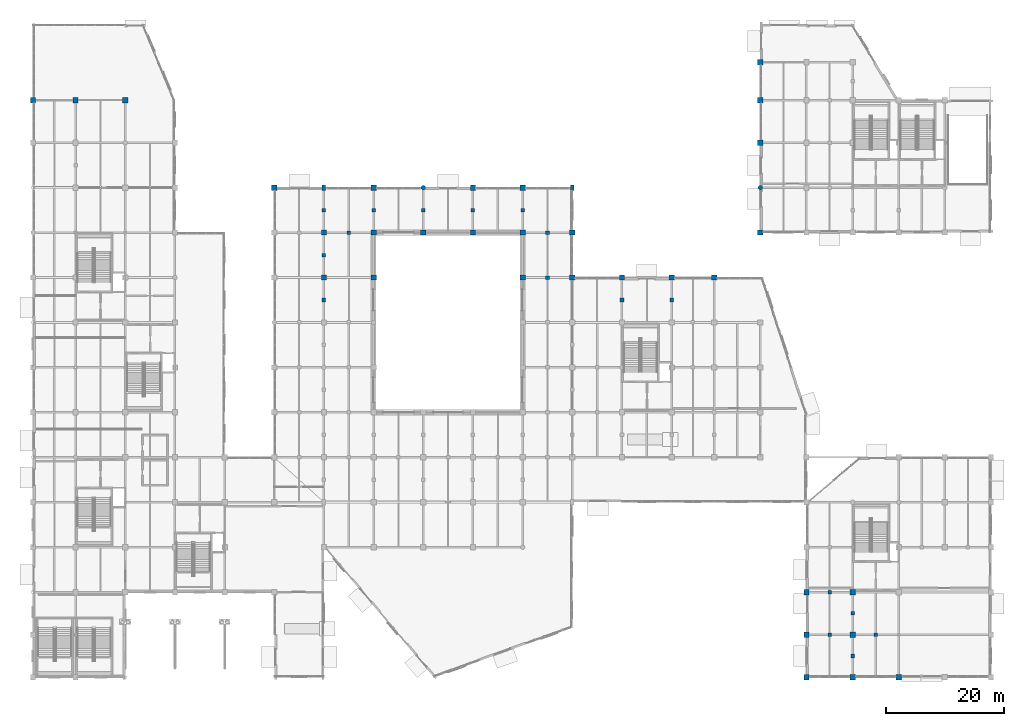
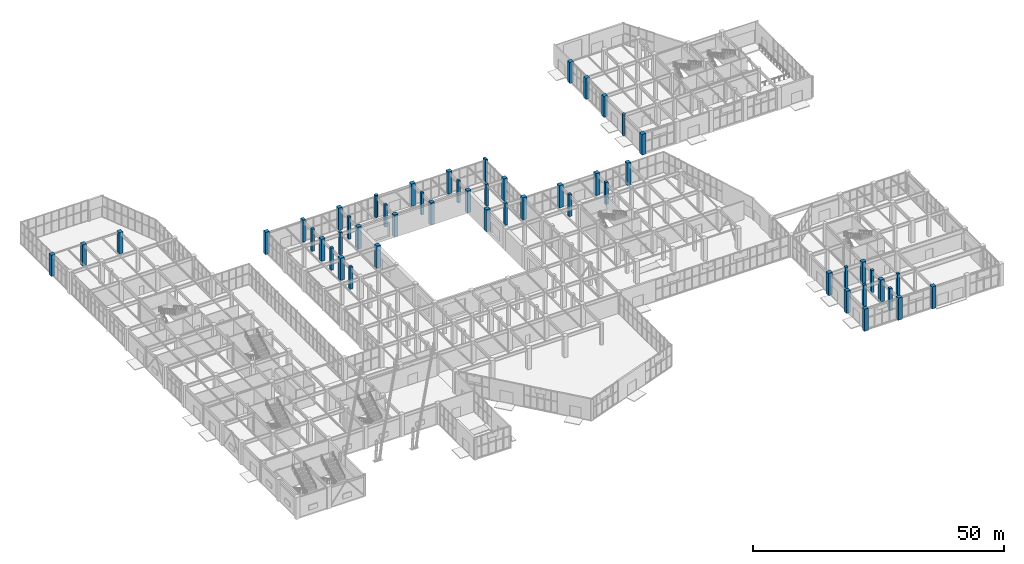
# One storey, part 6 of 139: 52 columns.
"""IFC4 building model written with IfcOpenShell, lengths in metres."""

from ifc_helpers import new_model, si_unit, direction, frame, origin, origin_2d, place, context, subcontext, project, spatial, rectangle, circle, extrude, material, material_profile, profile_set, type_object, element, save


model = new_model("IFC4")

# Units and contexts
model_context = context("Model", 3, precision=1e-05, world=origin(), true_north=direction((0.0, 1.0)))
body_context = subcontext(model_context, "Body", "Model", "MODEL_VIEW")
ifc_project = project(units=[si_unit("LENGTHUNIT", "METRE"), si_unit("AREAUNIT", "SQUARE_METRE"), si_unit("VOLUMEUNIT", "CUBIC_METRE"), si_unit("PLANEANGLEUNIT", "RADIAN"), si_unit("MASSUNIT", "GRAM", prefix="KILO")], contexts=[model_context])

# Site, building, storey
site_placement = place(None, origin())
site = spatial("IfcSite", under=ifc_project, at=site_placement, CompositionType="ELEMENT")
building_placement = place(site_placement, origin())
building = spatial("IfcBuilding", under=site, at=building_placement, Name="Xicomal Pleat Aquarium", CompositionType="ELEMENT")
storey_placement = place(building_placement, origin())
storey = spatial("IfcBuildingStorey", under=building, at=storey_placement, Name="L01", CompositionType="ELEMENT", Elevation=0.0)

# Columns
ifc_material_1 = material(Name="Concrete C40/50", Category="concrete")
ifc_material_profile_1 = material_profile(ifc_material_1, rectangle(XDim=0.60009765625, YDim=0.60009765625, at=origin_2d()), Name="RC 600x600")
ifc_profile_set_1 = profile_set([ifc_material_profile_1], Name="Concrete C40/50")
column_type_1 = type_object("IfcColumnType", Name="COL-RC-600x600", PredefinedType="COLUMN", material=ifc_profile_set_1)
for number, where, z_axis, x_axis, name in (
    (1, (56.39990234375, 76.0, 0.0), (0.0, 0.0, 1.0), (1.0, 0.0, 0.0), "L01 intermediate support column SUB-10"),
    (2, (90.0, 68.39990234375, 0.0), (0.0, 0.0, 1.0), (1.0, 0.0, 0.0), "L01 intermediate support column SUB-18"),
    (3, (90.0, 76.0, 0.0), (0.0, 0.0, 1.0), (1.0, 0.0, 0.0), "L01 intermediate support column SUB-19"),
    (4, (137.699951171875, 8.0, 0.0), (0.0, 0.0, 1.0), (1.0, 0.0, 0.0), "L01 intermediate support column SUB-24"),
    (5, (137.699951171875, 15.199951171875, 0.0), (0.0, 0.0, 1.0), (1.0, 0.0, 0.0), "L01 intermediate support column SUB-25"),
    (6, (145.5, 8.0, 0.0), (0.0, 0.0, 1.0), (1.0, 0.0, 0.0), "L01 intermediate support column SUB-30"),
    (7, (52.199951171875, 64.60009765625, 0.0), (0.0, 0.0, 1.0), (1.0, 0.0, 0.0), "L01 intermediate support column SUB-38"),
    (8, (52.199951171875, 72.199951171875, 0.0), (0.0, 0.0, 1.0), (1.0, 0.0, 0.0), "L01 intermediate support column SUB-39"),
    (9, (52.199951171875, 79.800048828125, 0.0), (0.0, 0.0, 1.0), (1.0, 0.0, 0.0), "L01 intermediate support column SUB-40"),
    (10, (60.60009765625, 79.800048828125, 0.0), (0.0, 0.0, 1.0), (1.0, 0.0, 0.0), "L01 intermediate support column SUB-43"),
    (11, (69.0, 79.800048828125, 0.0), (0.0, 0.0, 1.0), (1.0, 0.0, 0.0), "L01 intermediate support column SUB-46"),
    (12, (77.39990234375, 79.800048828125, 0.0), (0.0, 0.0, 1.0), (1.0, 0.0, 0.0), "L01 intermediate support column SUB-49"),
    (13, (85.800048828125, 79.800048828125, 0.0), (0.0, 0.0, 1.0), (1.0, 0.0, 0.0), "L01 intermediate support column SUB-52"),
    (14, (102.60009765625, 64.60009765625, 0.0), (0.0, 0.0, 1.0), (1.0, 0.0, 0.0), "L01 intermediate support column SUB-57"),
    (15, (111.0, 64.60009765625, 0.0), (0.0, 0.0, 1.0), (1.0, 0.0, 0.0), "L01 intermediate support column SUB-59"),
    (16, (141.60009765625, 4.39990234375, 0.0), (0.0, 0.0, 1.0), (1.0, 0.0, 0.0), "L01 intermediate support column SUB-61"),
    (17, (141.60009765625, 11.60009765625, 0.0), (0.0, 0.0, 1.0), (1.0, 0.0, 0.0), "L01 intermediate support column SUB-62"),
):
    element("IfcColumn", number, at=place(storey_placement, frame(where, z_axis=z_axis, x_axis=x_axis)), inside=storey, type_object=column_type_1, Name=name, PredefinedType="COLUMN", context=body_context, shape_type="SweptSolid", body=[
        extrude(rectangle(XDim=0.60009765625, YDim=0.60009765625, at=origin_2d()), origin(), (0.0, 0.0, 1.0), 5.39990234375),
    ])
ifc_material_2 = material(Name="Concrete C40/50", Category="concrete")
ifc_material_profile_2 = material_profile(ifc_material_2, rectangle(XDim=0.60009765625, YDim=0.89990234375, at=origin_2d()), Name="RC 600x900")
ifc_profile_set_2 = profile_set([ifc_material_profile_2], Name="Concrete C40/50")
column_type_2 = type_object("IfcColumnType", Name="COL-RC-600x900", PredefinedType="COLUMN", material=ifc_profile_set_2)
for number, where, z_axis, x_axis, name in (
    (18, (52.199951171875, 83.60009765625, 0.0), (0.0, 0.0, 1.0), (1.0, 0.0, 0.0), "L01 column 07/M"),
    (19, (94.199951171875, 83.60009765625, 0.0), (0.0, 0.0, 1.0), (1.0, 0.0, 0.0), "L01 column 12/M"),
):
    element("IfcColumn", number, at=place(storey_placement, frame(where, z_axis=z_axis, x_axis=x_axis)), inside=storey, type_object=column_type_2, Name=name, PredefinedType="COLUMN", context=body_context, shape_type="SweptSolid", body=[
        extrude(rectangle(XDim=0.60009765625, YDim=0.89990234375, at=origin_2d()), origin(), (0.0, 0.0, 1.0), 5.39990234375),
    ])
ifc_material_3 = material(Name="Concrete C40/50", Category="concrete")
ifc_material_profile_3 = material_profile(ifc_material_3, rectangle(XDim=0.89990234375, YDim=0.89990234375, at=origin_2d()), Name="RC 900x900")
ifc_profile_set_3 = profile_set([ifc_material_profile_3], Name="Concrete C40/50")
column_type_3 = type_object("IfcColumnType", Name="COL-RC-900x900", PredefinedType="COLUMN", material=ifc_profile_set_3)
for number, where, z_axis, x_axis, name in (
    (20, (3.0, 98.39990234375, 0.0), (0.0, 0.0, 1.0), (1.0, 0.0, 0.0), "L01 column 01/P"),
    (21, (10.199951171875, 98.39990234375, 0.0), (0.0, 0.0, 1.0), (1.0, 0.0, 0.0), "L01 column 02/P"),
    (22, (18.60009765625, 98.39990234375, 0.0), (0.0, 0.0, 1.0), (1.0, 0.0, 0.0), "L01 column 03/P"),
):
    element("IfcColumn", number, at=place(storey_placement, frame(where, z_axis=z_axis, x_axis=x_axis)), inside=storey, type_object=column_type_3, Name=name, PredefinedType="COLUMN", context=body_context, shape_type="SweptSolid", body=[
        extrude(rectangle(XDim=0.89990234375, YDim=0.89990234375, at=origin_2d()), origin(), (0.0, 0.0, 1.0), 5.159912109375),
    ])
for number, where, z_axis, x_axis, name in (
    (23, (43.800048828125, 83.60009765625, 0.0), (0.0, 0.0, 1.0), (1.0, 0.0, 0.0), "L01 column 06/M"),
    (24, (52.199951171875, 68.39990234375, 0.0), (0.0, 0.0, 1.0), (1.0, 0.0, 0.0), "L01 column 07/K"),
    (25, (52.199951171875, 76.0, 0.0), (0.0, 0.0, 1.0), (1.0, 0.0, 0.0), "L01 column 07/L"),
    (26, (60.60009765625, 68.39990234375, 0.0), (0.0, 0.0, 1.0), (1.0, 0.0, 0.0), "L01 column 08/K"),
    (27, (60.60009765625, 76.0, 0.0), (0.0, 0.0, 1.0), (1.0, 0.0, 0.0), "L01 column 08/L"),
    (28, (60.60009765625, 83.60009765625, 0.0), (0.0, 0.0, 1.0), (1.0, 0.0, 0.0), "L01 column 08/M"),
    (29, (69.0, 76.0, 0.0), (0.0, 0.0, 1.0), (1.0, 0.0, 0.0), "L01 column 09/L"),
    (30, (77.39990234375, 76.0, 0.0), (0.0, 0.0, 1.0), (1.0, 0.0, 0.0), "L01 column 10/L"),
    (31, (77.39990234375, 83.60009765625, 0.0), (0.0, 0.0, 1.0), (1.0, 0.0, 0.0), "L01 column 10/M"),
    (32, (85.800048828125, 68.39990234375, 0.0), (0.0, 0.0, 1.0), (1.0, 0.0, 0.0), "L01 column 11/K"),
    (33, (85.800048828125, 76.0, 0.0), (0.0, 0.0, 1.0), (1.0, 0.0, 0.0), "L01 column 11/L"),
    (34, (85.800048828125, 83.60009765625, 0.0), (0.0, 0.0, 1.0), (1.0, 0.0, 0.0), "L01 column 11/M"),
    (35, (94.199951171875, 68.39990234375, 0.0), (0.0, 0.0, 1.0), (1.0, 0.0, 0.0), "L01 column 12/K"),
    (36, (94.199951171875, 76.0, 0.0), (0.0, 0.0, 1.0), (1.0, 0.0, 0.0), "L01 column 12/L"),
    (37, (102.60009765625, 68.39990234375, 0.0), (0.0, 0.0, 1.0), (1.0, 0.0, 0.0), "L01 column 13/K"),
    (38, (111.0, 68.39990234375, 0.0), (0.0, 0.0, 1.0), (1.0, 0.0, 0.0), "L01 column 14/K"),
    (39, (118.199951171875, 68.39990234375, 0.0), (0.0, 0.0, 1.0), (1.0, 0.0, 0.0), "L01 column 15/K"),
):
    element("IfcColumn", number, at=place(storey_placement, frame(where, z_axis=z_axis, x_axis=x_axis)), inside=storey, type_object=column_type_3, Name=name, PredefinedType="COLUMN", context=body_context, shape_type="SweptSolid", body=[
        extrude(rectangle(XDim=0.89990234375, YDim=0.89990234375, at=origin_2d()), origin(), (0.0, 0.0, 1.0), 5.39990234375),
    ])
for number, where, z_axis, x_axis, name in (
    (40, (126.0, 76.0, 0.0), (0.0, 0.0, 1.0), (1.0, 0.0, 0.0), "L01 column 16/L"),
    (41, (126.0, 91.199951171875, 0.0), (0.0, 0.0, 1.0), (1.0, 0.0, 0.0), "L01 column 16/N"),
    (42, (126.0, 98.39990234375, 0.0), (0.0, 0.0, 1.0), (1.0, 0.0, 0.0), "L01 column 16/P"),
    (43, (126.0, 104.800048828125, 0.0), (0.0, 0.0, 1.0), (1.0, 0.0, 0.0), "L01 column 16/Q"),
):
    element("IfcColumn", number, at=place(storey_placement, frame(where, z_axis=z_axis, x_axis=x_axis)), inside=storey, type_object=column_type_3, Name=name, PredefinedType="COLUMN", context=body_context, shape_type="SweptSolid", body=[
        extrude(rectangle(XDim=0.89990234375, YDim=0.89990234375, at=origin_2d()), origin(), (0.0, 0.0, 1.0), 5.10009765625),
    ])
for number, where, z_axis, x_axis, name in (
    (44, (133.800048828125, 0.800048828125, 0.0), (0.0, 0.0, 1.0), (1.0, 0.0, 0.0), "L01 column 17/A"),
    (45, (133.800048828125, 8.0, 0.0), (0.0, 0.0, 1.0), (1.0, 0.0, 0.0), "L01 column 17/B"),
    (46, (133.800048828125, 15.199951171875, 0.0), (0.0, 0.0, 1.0), (1.0, 0.0, 0.0), "L01 column 17/C"),
    (47, (141.60009765625, 0.800048828125, 0.0), (0.0, 0.0, 1.0), (1.0, 0.0, 0.0), "L01 column 18/A"),
    (48, (141.60009765625, 8.0, 0.0), (0.0, 0.0, 1.0), (1.0, 0.0, 0.0), "L01 column 18/B"),
    (49, (141.60009765625, 15.199951171875, 0.0), (0.0, 0.0, 1.0), (1.0, 0.0, 0.0), "L01 column 18/C"),
    (50, (149.39990234375, 0.800048828125, 0.0), (0.0, 0.0, 1.0), (1.0, 0.0, 0.0), "L01 column 19/A"),
):
    element("IfcColumn", number, at=place(storey_placement, frame(where, z_axis=z_axis, x_axis=x_axis)), inside=storey, type_object=column_type_3, Name=name, PredefinedType="COLUMN", context=body_context, shape_type="SweptSolid", body=[
        extrude(rectangle(XDim=0.89990234375, YDim=0.89990234375, at=origin_2d()), origin(), (0.0, 0.0, 1.0), 5.39990234375),
    ])
ifc_material_4 = material(Name="Concrete C40/50", Category="concrete")
ifc_material_profile_4 = material_profile(ifc_material_4, circle(Radius=0.375, at=origin_2d()), Name="RCC D750")
ifc_profile_set_4 = profile_set([ifc_material_profile_4], Name="Concrete C40/50")
column_type_4 = type_object("IfcColumnType", Name="COL-RCC-D750", PredefinedType="COLUMN", material=ifc_profile_set_4)
column_1_placement = place(storey_placement, frame((69.0, 83.60009765625, 0.0), z_axis=(0.0, 0.0, 1.0), x_axis=(1.0, 0.0, 0.0)))
element("IfcColumn", 51, at=column_1_placement, inside=storey, type_object=column_type_4, Name="L01 column 09/M", PredefinedType="COLUMN", context=body_context, shape_type="SweptSolid", body=[
    extrude(circle(Radius=0.375, at=origin_2d()), origin(), (0.0, 0.0, 1.0), 5.39990234375),
])
column_2_placement = place(storey_placement, frame((126.0, 83.60009765625, 0.0), z_axis=(0.0, 0.0, 1.0), x_axis=(1.0, 0.0, 0.0)))
element("IfcColumn", 52, at=column_2_placement, inside=storey, type_object=column_type_4, Name="L01 column 16/M", PredefinedType="COLUMN", context=body_context, shape_type="SweptSolid", body=[
    extrude(circle(Radius=0.375, at=origin_2d()), origin(), (0.0, 0.0, 1.0), 5.10009765625),
])

save(model, "model.ifc")
